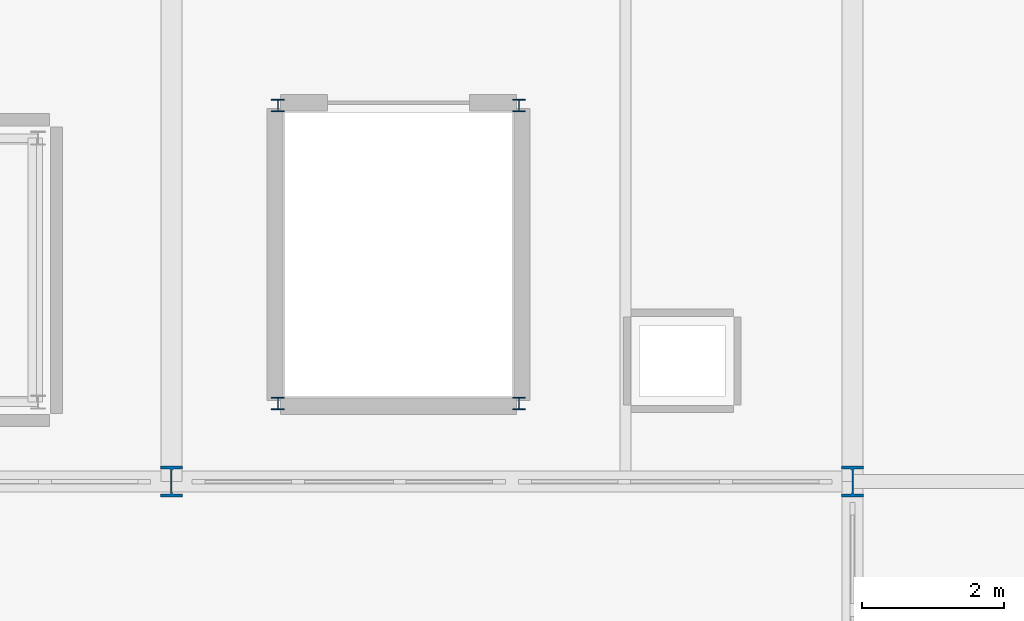
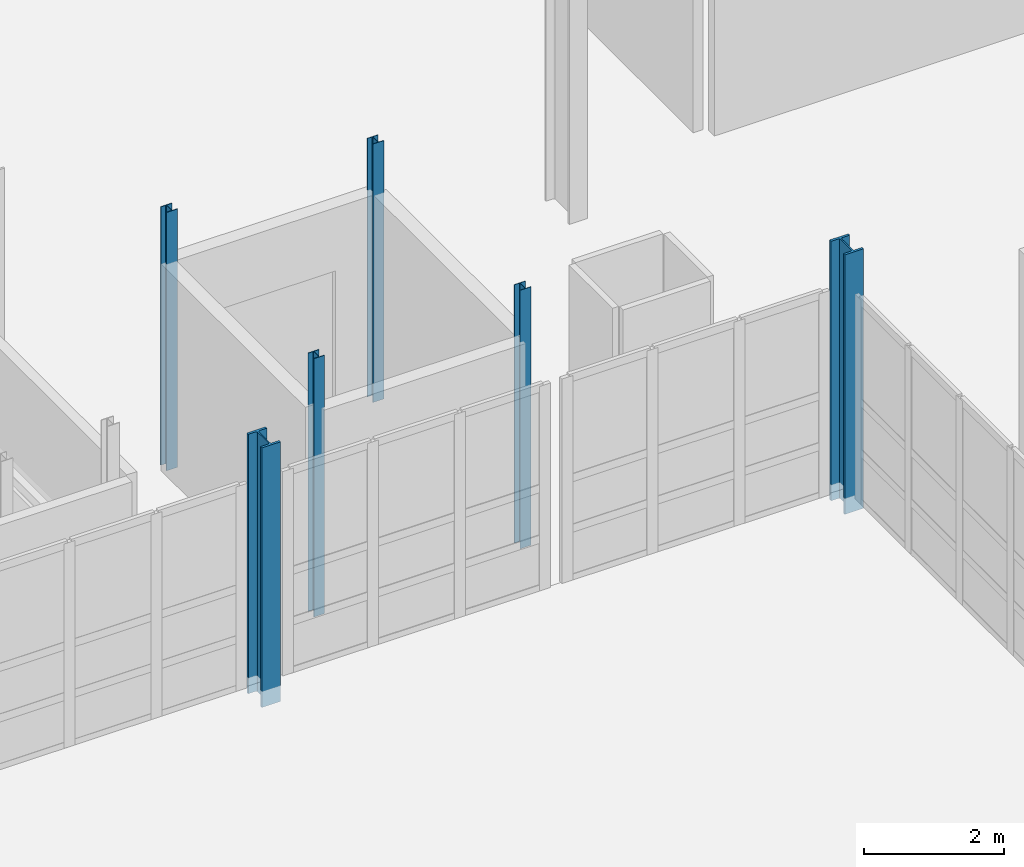
# One storey, part 26 of 78: 6 columns.
"""IFC4 building model written with IfcOpenShell, lengths in metres."""

from ifc_helpers import new_model, si_unit, direction, frame, origin, origin_2d, place, context, subcontext, project, spatial, i_section, extrude, material, material_profile, profile_set, type_object, element, save


model = new_model("IFC4")

# Units and contexts
model_context = context("Model", 3, precision=1e-05, world=origin(), true_north=direction((0.0, 1.0)))
body_context = subcontext(model_context, "Body", "Model", "MODEL_VIEW")
ifc_project = project(units=[si_unit("LENGTHUNIT", "METRE"), si_unit("AREAUNIT", "SQUARE_METRE"), si_unit("VOLUMEUNIT", "CUBIC_METRE"), si_unit("PLANEANGLEUNIT", "RADIAN"), si_unit("MASSUNIT", "GRAM", prefix="KILO")], contexts=[model_context])

# Site, building, storey
site_placement = place(None, origin())
site = spatial("IfcSite", under=ifc_project, at=site_placement, CompositionType="ELEMENT")
building_placement = place(site_placement, origin())
building = spatial("IfcBuilding", under=site, at=building_placement, Name="Alderhovde Museum", CompositionType="ELEMENT")
storey_placement = place(building_placement, origin())
storey = spatial("IfcBuildingStorey", under=building, at=storey_placement, Name="L00", CompositionType="ELEMENT", Elevation=0.0)

# Columns
ifc_material_1 = material(Name="Steel S355J2", Category="steel")
ifc_material_profile_1 = material_profile(ifc_material_1, i_section(OverallWidth=0.179931640625, OverallDepth=0.1708984375, WebThickness=0.006103515625, FlangeThickness=0.009521484375, FilletRadius=0.014892578125, at=origin_2d()), Name="HEA 180")
ifc_profile_set_1 = profile_set([ifc_material_profile_1], Name="Steel S355J2")
column_type_1 = type_object("IfcColumnType", Name="COL-HEA180", PredefinedType="COLUMN", material=ifc_profile_set_1)
for number, where, z_axis, x_axis, name in (
    (1, (135.89990234375, 73.10009765625, 0.0), (0.0, 0.0, 1.0), (1.0, 0.0, 0.0), "L00 Lift GL-01 Shaft Column 1"),
    (2, (139.300048828125, 73.10009765625, 0.0), (0.0, 0.0, 1.0), (1.0, 0.0, 0.0), "L00 Lift GL-01 Shaft Column 2"),
    (3, (139.300048828125, 77.300048828125, 0.0), (0.0, 0.0, 1.0), (1.0, 0.0, 0.0), "L00 Lift GL-01 Shaft Column 3"),
    (4, (135.89990234375, 77.300048828125, 0.0), (0.0, 0.0, 1.0), (1.0, 0.0, 0.0), "L00 Lift GL-01 Shaft Column 4"),
):
    element("IfcColumn", number, at=place(storey_placement, frame(where, z_axis=z_axis, x_axis=x_axis)), inside=storey, type_object=column_type_1, Name=name, PredefinedType="COLUMN", context=body_context, shape_type="SweptSolid", body=[
        extrude(i_section(OverallWidth=0.179931640625, OverallDepth=0.1708984375, WebThickness=0.006103515625, FlangeThickness=0.009521484375, FilletRadius=0.014892578125, at=origin_2d()), origin(), (0.0, 0.0, 1.0), 4.5),
    ])
ifc_material_2 = material(Name="Steel S355J2", Category="steel")
ifc_material_profile_2 = material_profile(ifc_material_2, i_section(OverallWidth=0.306884765625, OverallDepth=0.431884765625, WebThickness=0.02099609375, FlangeThickness=0.0400390625, FilletRadius=0.027099609375, at=origin_2d()), Name="HEM 400")
ifc_profile_set_2 = profile_set([ifc_material_profile_2], Name="Steel S355J2")
column_type_2 = type_object("IfcColumnType", Name="COL-HEM400", PredefinedType="COLUMN", material=ifc_profile_set_2)
for number, where, z_axis, x_axis, name in (
    (5, (134.39990234375, 72.0, -0.280029296875), (0.0, 0.0, 1.0), (1.0, 0.0, 0.0), "L00 Column (134.4, 72.0)"),
    (6, (144.0, 72.0, -0.280029296875), (0.0, 0.0, 1.0), (1.0, 0.0, 0.0), "L00 Column (144.0, 72.0)"),
):
    element("IfcColumn", number, at=place(storey_placement, frame(where, z_axis=z_axis, x_axis=x_axis)), inside=storey, type_object=column_type_2, Name=name, PredefinedType="COLUMN", context=body_context, shape_type="SweptSolid", body=[
        extrude(i_section(OverallWidth=0.306884765625, OverallDepth=0.431884765625, WebThickness=0.02099609375, FlangeThickness=0.0400390625, FilletRadius=0.027099609375, at=origin_2d()), origin(), (0.0, 0.0, 1.0), 4.52001953125),
    ])

save(model, "model.ifc")
